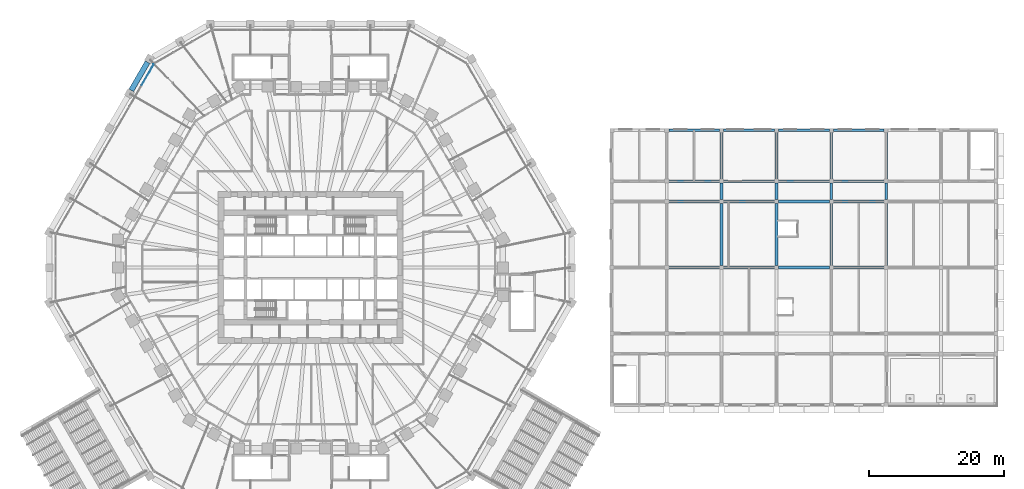
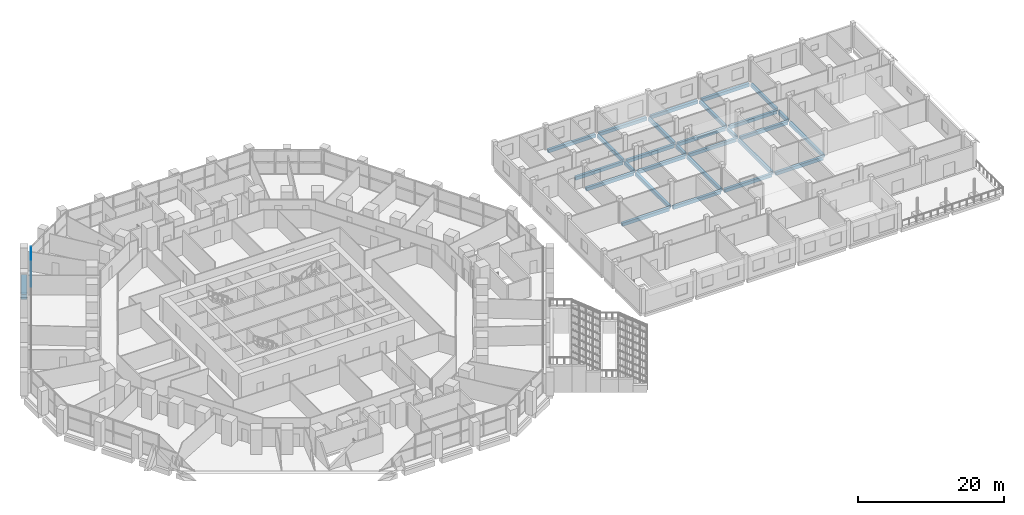
# One storey, part 13 of 38: 29 beams, 3 members, 1 element without a shape of its own.
"""IFC4 building model written with IfcOpenShell, lengths in metres."""

from ifc_helpers import new_model, si_unit, direction, frame, origin, origin_2d, place, context, subcontext, project, spatial, rectangle, extrude, material, material_profile, profile_set, type_object, element, aggregate, save


model = new_model("IFC4")

# Units and contexts
model_context = context("Model", 3, precision=1e-05, world=origin(), true_north=direction((0.0, 1.0)))
body_context = subcontext(model_context, "Body", "Model", "MODEL_VIEW")
ifc_project = project(units=[si_unit("LENGTHUNIT", "METRE"), si_unit("AREAUNIT", "SQUARE_METRE"), si_unit("VOLUMEUNIT", "CUBIC_METRE"), si_unit("PLANEANGLEUNIT", "RADIAN"), si_unit("MASSUNIT", "GRAM", prefix="KILO")], contexts=[model_context])

# Site, building, storey
site_placement = place(None, origin())
site = spatial("IfcSite", under=ifc_project, at=site_placement, CompositionType="ELEMENT")
building_placement = place(site_placement, origin())
building = spatial("IfcBuilding", under=site, at=building_placement, Name="Frailejon Research Tower", CompositionType="ELEMENT")
storey_placement = place(building_placement, frame((0.0, 0.0, 10.199951171875)))
storey = spatial("IfcBuildingStorey", under=building, at=storey_placement, Name="L02", CompositionType="ELEMENT", Elevation=10.199951171875)

# Beams
ifc_material_1 = material(Name="Concrete C60/75", Category="concrete")
ifc_material_profile_1 = material_profile(ifc_material_1, rectangle(XDim=0.800048828125, YDim=0.800048828125, at=origin_2d()), Name="Base ring beam")
ifc_profile_set_1 = profile_set([ifc_material_profile_1], Name="Concrete C60/75")
beam_type_1 = type_object("IfcBeamType", Name="Base ring beam", PredefinedType="BEAM", material=ifc_profile_set_1)
beam_1_placement = place(storey_placement, frame((-24.0595703125, 30.327392578125, -0.75), z_axis=(-0.500028306193, -0.866009060579, 0.0), x_axis=(0.866009060579, -0.500028306193, 0.0)))
element("IfcBeam", 1, at=beam_1_placement, inside=storey, type_object=beam_type_1, Name="Base ring beam", PredefinedType="BEAM", context=body_context, shape_type="SweptSolid", body=[
    extrude(rectangle(XDim=0.800048828125, YDim=0.800048828125, at=origin_2d()), origin(), (0.0, 0.0, 1.0), 4.813720703125),
])
ifc_material_2 = material(Name="Concrete C35/45", Category="concrete")
ifc_material_profile_2 = material_profile(ifc_material_2, rectangle(XDim=0.39990234375, YDim=0.550048828125, at=origin_2d()), Name="HC floor beam 400x550")
ifc_profile_set_2 = profile_set([ifc_material_profile_2], Name="Concrete C35/45")
beam_type_2 = type_object("IfcBeamType", Name="HC floor beam 400x550", PredefinedType="BEAM", material=ifc_profile_set_2)
for number, where, z_axis, x_axis, name in (
    (2, (52.89990234375, 0.0, -0.52490234375), (1.0, 0.0, 0.0), (0.0, 1.0, 0.0), "HC floor beam"),
    (3, (61.0, 0.0, -0.52490234375), (1.0, 0.0, 0.0), (0.0, 1.0, 0.0), "HC floor beam"),
    (4, (69.10009765625, 0.0, -0.52490234375), (1.0, 0.0, 0.0), (0.0, 1.0, 0.0), "HC floor beam"),
    (5, (77.199951171875, 0.0, -0.52490234375), (1.0, 0.0, 0.0), (0.0, 1.0, 0.0), "HC floor beam"),
    (6, (52.89990234375, 9.75, -0.52490234375), (1.0, 0.0, 0.0), (0.0, 1.0, 0.0), "HC floor beam"),
    (7, (61.0, 9.75, -0.52490234375), (1.0, 0.0, 0.0), (0.0, 1.0, 0.0), "HC floor beam"),
    (8, (69.10009765625, 9.75, -0.52490234375), (1.0, 0.0, 0.0), (0.0, 1.0, 0.0), "HC floor beam"),
    (9, (77.199951171875, 9.75, -0.52490234375), (1.0, 0.0, 0.0), (0.0, 1.0, 0.0), "HC floor beam"),
    (10, (52.89990234375, 12.75, -0.52490234375), (1.0, 0.0, 0.0), (0.0, 1.0, 0.0), "HC floor beam"),
    (11, (61.0, 12.75, -0.52490234375), (1.0, 0.0, 0.0), (0.0, 1.0, 0.0), "HC floor beam"),
    (12, (69.10009765625, 12.75, -0.52490234375), (1.0, 0.0, 0.0), (0.0, 1.0, 0.0), "HC floor beam"),
    (13, (77.199951171875, 12.75, -0.52490234375), (1.0, 0.0, 0.0), (0.0, 1.0, 0.0), "HC floor beam"),
    (14, (52.89990234375, 20.25, -0.52490234375), (1.0, 0.0, 0.0), (0.0, 1.0, 0.0), "HC floor beam"),
    (15, (61.0, 20.25, -0.52490234375), (1.0, 0.0, 0.0), (0.0, 1.0, 0.0), "HC floor beam"),
    (16, (69.10009765625, 20.25, -0.52490234375), (1.0, 0.0, 0.0), (0.0, 1.0, 0.0), "HC floor beam"),
    (17, (77.199951171875, 20.25, -0.52490234375), (1.0, 0.0, 0.0), (0.0, 1.0, 0.0), "HC floor beam"),
):
    element("IfcBeam", number, at=place(storey_placement, frame(where, z_axis=z_axis, x_axis=x_axis)), inside=storey, type_object=beam_type_2, Name=name, PredefinedType="BEAM", context=body_context, shape_type="SweptSolid", body=[
        extrude(rectangle(XDim=0.39990234375, YDim=0.550048828125, at=origin_2d()), origin(), (0.0, 0.0, 1.0), 7.5),
    ])
beam_2_placement = place(storey_placement, frame((60.699951171875, 0.300048828125, -0.52490234375), z_axis=(0.0, 1.0, 0.0), x_axis=(-1.0, 0.0, 0.0)))
element("IfcBeam", 18, at=beam_2_placement, inside=storey, type_object=beam_type_2, Name="HC floor beam", PredefinedType="BEAM", context=body_context, shape_type="SweptSolid", body=[
    extrude(rectangle(XDim=0.39990234375, YDim=0.550048828125, at=origin_2d()), origin(), (0.0, 0.0, 1.0), 9.14990234375),
])
beam_3_placement = place(storey_placement, frame((60.699951171875, 10.050048828125, -0.52490234375), z_axis=(0.0, 1.0, 0.0), x_axis=(-1.0, 0.0, 0.0)))
element("IfcBeam", 19, at=beam_3_placement, inside=storey, type_object=beam_type_2, Name="HC floor beam", PredefinedType="BEAM", context=body_context, shape_type="SweptSolid", body=[
    extrude(rectangle(XDim=0.39990234375, YDim=0.550048828125, at=origin_2d()), origin(), (0.0, 0.0, 1.0), 2.39990234375),
])
beam_4_placement = place(storey_placement, frame((60.699951171875, 13.050048828125, -0.52490234375), z_axis=(0.0, 1.0, 0.0), x_axis=(-1.0, 0.0, 0.0)))
element("IfcBeam", 20, at=beam_4_placement, inside=storey, type_object=beam_type_2, Name="HC floor beam", PredefinedType="BEAM", context=body_context, shape_type="SweptSolid", body=[
    extrude(rectangle(XDim=0.39990234375, YDim=0.550048828125, at=origin_2d()), origin(), (0.0, 0.0, 1.0), 6.89990234375),
])
beam_5_placement = place(storey_placement, frame((68.800048828125, 0.300048828125, -0.52490234375), z_axis=(0.0, 1.0, 0.0), x_axis=(-1.0, 0.0, 0.0)))
element("IfcBeam", 21, at=beam_5_placement, inside=storey, type_object=beam_type_2, Name="HC floor beam", PredefinedType="BEAM", context=body_context, shape_type="SweptSolid", body=[
    extrude(rectangle(XDim=0.39990234375, YDim=0.550048828125, at=origin_2d()), origin(), (0.0, 0.0, 1.0), 9.14990234375),
])
beam_6_placement = place(storey_placement, frame((68.800048828125, 10.050048828125, -0.52490234375), z_axis=(0.0, 1.0, 0.0), x_axis=(-1.0, 0.0, 0.0)))
element("IfcBeam", 22, at=beam_6_placement, inside=storey, type_object=beam_type_2, Name="HC floor beam", PredefinedType="BEAM", context=body_context, shape_type="SweptSolid", body=[
    extrude(rectangle(XDim=0.39990234375, YDim=0.550048828125, at=origin_2d()), origin(), (0.0, 0.0, 1.0), 2.39990234375),
])
beam_7_placement = place(storey_placement, frame((68.800048828125, 13.050048828125, -0.52490234375), z_axis=(0.0, 1.0, 0.0), x_axis=(-1.0, 0.0, 0.0)))
element("IfcBeam", 23, at=beam_7_placement, inside=storey, type_object=beam_type_2, Name="HC floor beam", PredefinedType="BEAM", context=body_context, shape_type="SweptSolid", body=[
    extrude(rectangle(XDim=0.39990234375, YDim=0.550048828125, at=origin_2d()), origin(), (0.0, 0.0, 1.0), 6.89990234375),
])
beam_8_placement = place(storey_placement, frame((76.89990234375, 0.300048828125, -0.52490234375), z_axis=(0.0, 1.0, 0.0), x_axis=(-1.0, 0.0, 0.0)))
element("IfcBeam", 24, at=beam_8_placement, inside=storey, type_object=beam_type_2, Name="HC floor beam", PredefinedType="BEAM", context=body_context, shape_type="SweptSolid", body=[
    extrude(rectangle(XDim=0.39990234375, YDim=0.550048828125, at=origin_2d()), origin(), (0.0, 0.0, 1.0), 9.14990234375),
])
beam_9_placement = place(storey_placement, frame((76.89990234375, 10.050048828125, -0.52490234375), z_axis=(0.0, 1.0, 0.0), x_axis=(-1.0, 0.0, 0.0)))
element("IfcBeam", 25, at=beam_9_placement, inside=storey, type_object=beam_type_2, Name="HC floor beam", PredefinedType="BEAM", context=body_context, shape_type="SweptSolid", body=[
    extrude(rectangle(XDim=0.39990234375, YDim=0.550048828125, at=origin_2d()), origin(), (0.0, 0.0, 1.0), 2.39990234375),
])
beam_10_placement = place(storey_placement, frame((76.89990234375, 13.050048828125, -0.52490234375), z_axis=(0.0, 1.0, 0.0), x_axis=(-1.0, 0.0, 0.0)))
element("IfcBeam", 26, at=beam_10_placement, inside=storey, type_object=beam_type_2, Name="HC floor beam", PredefinedType="BEAM", context=body_context, shape_type="SweptSolid", body=[
    extrude(rectangle(XDim=0.39990234375, YDim=0.550048828125, at=origin_2d()), origin(), (0.0, 0.0, 1.0), 6.89990234375),
])
beam_11_placement = place(storey_placement, frame((85.0, 0.300048828125, -0.52490234375), z_axis=(0.0, 1.0, 0.0), x_axis=(-1.0, 0.0, 0.0)))
element("IfcBeam", 27, at=beam_11_placement, inside=storey, type_object=beam_type_2, Name="HC floor beam", PredefinedType="BEAM", context=body_context, shape_type="SweptSolid", body=[
    extrude(rectangle(XDim=0.39990234375, YDim=0.550048828125, at=origin_2d()), origin(), (0.0, 0.0, 1.0), 9.14990234375),
])
beam_12_placement = place(storey_placement, frame((85.0, 10.050048828125, -0.52490234375), z_axis=(0.0, 1.0, 0.0), x_axis=(-1.0, 0.0, 0.0)))
element("IfcBeam", 28, at=beam_12_placement, inside=storey, type_object=beam_type_2, Name="HC floor beam", PredefinedType="BEAM", context=body_context, shape_type="SweptSolid", body=[
    extrude(rectangle(XDim=0.39990234375, YDim=0.550048828125, at=origin_2d()), origin(), (0.0, 0.0, 1.0), 2.39990234375),
])
beam_13_placement = place(storey_placement, frame((85.0, 13.050048828125, -0.52490234375), z_axis=(0.0, 1.0, 0.0), x_axis=(-1.0, 0.0, 0.0)))
element("IfcBeam", 29, at=beam_13_placement, inside=storey, type_object=beam_type_2, Name="HC floor beam", PredefinedType="BEAM", context=body_context, shape_type="SweptSolid", body=[
    extrude(rectangle(XDim=0.39990234375, YDim=0.550048828125, at=origin_2d()), origin(), (0.0, 0.0, 1.0), 6.89990234375),
])

# Curtain wall, members
ifc_material_3 = material(Name="Aluminium curtain wall", Category="aluminium")
curtain_wall_type = type_object("IfcCurtainWallType", Name="Podium stick curtain wall system", PredefinedType="NOTDEFINED", material=ifc_material_3)
curtain_wall_placement = place(storey_placement, origin())
curtain_wall = element("IfcCurtainWall", 30, at=curtain_wall_placement, inside=storey, type_object=curtain_wall_type, Name="Curtain wall L02", PredefinedType="NOTDEFINED")
ifc_material_4 = material(Name="Aluminium extrusion", Category="aluminium")
ifc_material_profile_3 = material_profile(ifc_material_4, rectangle(XDim=0.06005859375, YDim=0.14990234375, at=origin_2d()), Name="Podium stick curtain wall transom 60x150")
ifc_profile_set_3 = profile_set([ifc_material_profile_3], Name="Aluminium extrusion")
member_type = type_object("IfcMemberType", Name="Podium stick curtain wall transom 60x150", PredefinedType="USERDEFINED", material=ifc_profile_set_3)
member_1_placement = place(storey_placement, frame((-23.169189453125, 29.9697265625, 0.030029296875), z_axis=(-0.500020858477, -0.866013360802, 0.0), x_axis=(0.866013360802, -0.500020858477, 0.0)))
member_1 = element("IfcMember", 31, at=member_1_placement, type_object=member_type, Name="CW2-038 transom 1.1", ObjectType="TRANSOM", PredefinedType="USERDEFINED", context=body_context, shape_type="SweptSolid", body=[
    extrude(rectangle(XDim=0.06005859375, YDim=0.14990234375, at=origin_2d()), origin(), (0.0, 0.0, 1.0), 3.517333984375),
])
member_2_placement = place(storey_placement, frame((-23.169189453125, 29.9697265625, 2.050048828125), z_axis=(-0.500020858477, -0.866013360802, 0.0), x_axis=(0.866013360802, -0.500020858477, 0.0)))
member_2 = element("IfcMember", 32, at=member_2_placement, type_object=member_type, Name="CW2-038 transom 1.2", ObjectType="TRANSOM", PredefinedType="USERDEFINED", context=body_context, shape_type="SweptSolid", body=[
    extrude(rectangle(XDim=0.06005859375, YDim=0.14990234375, at=origin_2d()), origin(), (0.0, 0.0, 1.0), 3.517333984375),
])
member_3_placement = place(storey_placement, frame((-23.169189453125, 29.9697265625, 4.070068359375), z_axis=(-0.500020858477, -0.866013360802, 0.0), x_axis=(0.866013360802, -0.500020858477, 0.0)))
member_3 = element("IfcMember", 33, at=member_3_placement, type_object=member_type, Name="CW2-038 transom 1.3", ObjectType="TRANSOM", PredefinedType="USERDEFINED", context=body_context, shape_type="SweptSolid", body=[
    extrude(rectangle(XDim=0.06005859375, YDim=0.14990234375, at=origin_2d()), origin(), (0.0, 0.0, 1.0), 3.517333984375),
])
aggregate(curtain_wall, [member_1, member_2, member_3])

save(model, "model.ifc")
